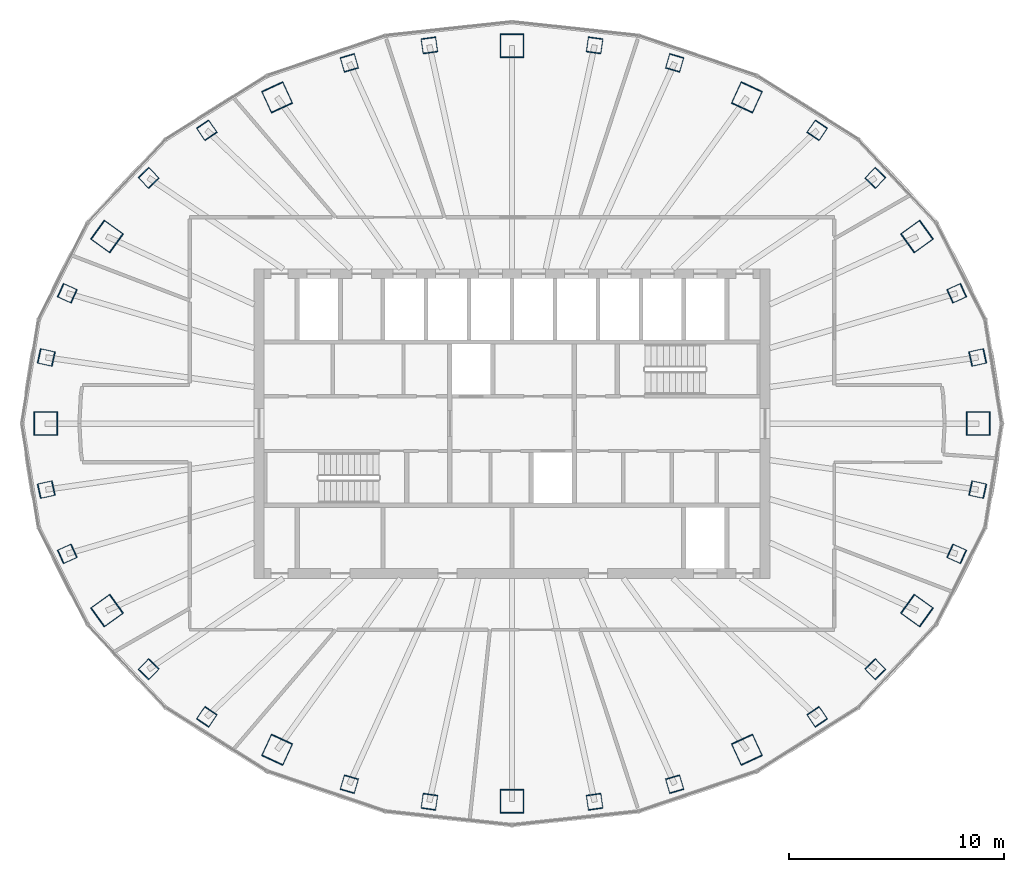
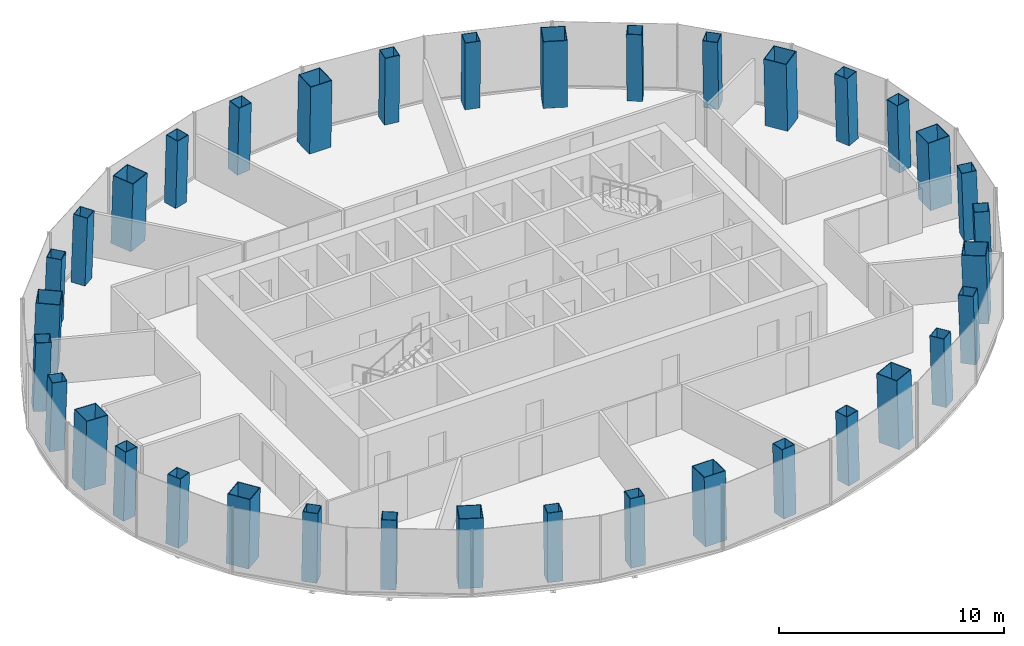
# One storey, part 1 of 11: 36 columns.
"""IFC4 building model written with IfcOpenShell, lengths in metres."""

from ifc_helpers import new_model, si_unit, direction, frame, origin, origin_2d, place, context, subcontext, project, spatial, hollow_rectangle, extrude, material, material_profile, profile_set, type_object, element, save


model = new_model("IFC4")

# Units and contexts
model_context = context("Model", 3, precision=1e-05, world=origin(), true_north=direction((0.0, 1.0)))
body_context = subcontext(model_context, "Body", "Model", "MODEL_VIEW")
ifc_project = project(units=[si_unit("LENGTHUNIT", "METRE"), si_unit("AREAUNIT", "SQUARE_METRE"), si_unit("VOLUMEUNIT", "CUBIC_METRE"), si_unit("PLANEANGLEUNIT", "RADIAN"), si_unit("MASSUNIT", "GRAM", prefix="KILO")], contexts=[model_context])

# Site, building, storey
site_placement = place(None, origin())
site = spatial("IfcSite", under=ifc_project, at=site_placement, CompositionType="ELEMENT")
building_placement = place(site_placement, origin())
building = spatial("IfcBuilding", under=site, at=building_placement, Name="Siaravel Broadcast Tower", CompositionType="ELEMENT")
storey_placement = place(building_placement, frame((0.0, 0.0, 194.10009765625)))
storey = spatial("IfcBuildingStorey", under=building, at=storey_placement, Name="L47", CompositionType="ELEMENT", Elevation=194.10009765625)

# Columns
ifc_material = material(Name="Concrete C60/75", Category="concrete")
ifc_material_profile_1 = material_profile(ifc_material, hollow_rectangle(XDim=1.10009765625, YDim=1.10009765625, WallThickness=0.031982421875, at=origin_2d()))
ifc_profile_set_1 = profile_set([ifc_material_profile_1], Name="Concrete C60/75")
column_type_1 = type_object("IfcColumnType", Name="COL-CFT BOX 1100x1100x32", PredefinedType="COLUMN", material=ifc_profile_set_1)
column_1_placement = place(storey_placement, frame((21.724365234375, 0.0, 0.0), z_axis=(-0.034621265, 0.0, 0.999400504), x_axis=(0.0, -1.0, 0.0)))
element("IfcColumn", 1, at=column_1_placement, inside=storey, type_object=column_type_1, Name="Megacolumn MC01", PredefinedType="COLUMN", context=body_context, shape_type="SweptSolid", body=[
    extrude(hollow_rectangle(XDim=1.10009765625, YDim=1.10009765625, WallThickness=0.031982421875, at=origin_2d()), origin(), (0.0, 0.0, 1.0), 3.7021484375),
])
column_2_placement = place(storey_placement, frame((18.8671875, 8.714111328125, 0.0), z_axis=(-0.029940667, -0.01417895, 0.999451106), x_axis=(0.583859188, -0.811832967, 0.005973473)))
element("IfcColumn", 2, at=column_2_placement, inside=storey, type_object=column_type_1, Name="Megacolumn MC02", PredefinedType="COLUMN", context=body_context, shape_type="SweptSolid", body=[
    extrude(hollow_rectangle(XDim=1.10009765625, YDim=1.10009765625, WallThickness=0.031982421875, at=origin_2d()), origin(), (0.0, 0.0, 1.0), 3.701904296875),
])
column_3_placement = place(storey_placement, frame((10.94189453125, 15.196533203125, 0.0), z_axis=(-0.017280237, -0.024535299, 0.999549605), x_axis=(0.908373055, -0.418125333, 0.005440522)))
element("IfcColumn", 3, at=column_3_placement, inside=storey, type_object=column_type_1, Name="Megacolumn MC03", PredefinedType="COLUMN", context=body_context, shape_type="SweptSolid", body=[
    extrude(hollow_rectangle(XDim=1.10009765625, YDim=1.10009765625, WallThickness=0.031982421875, at=origin_2d()), origin(), (0.0, 0.0, 1.0), 3.70166015625),
])
column_4_placement = place(storey_placement, frame((0.0, 17.595703125, 0.0), z_axis=(0.0, -0.02836206, 0.999597716), x_axis=(1.0, 0.0, 0.0)))
element("IfcColumn", 4, at=column_4_placement, inside=storey, type_object=column_type_1, Name="Megacolumn MC04", PredefinedType="COLUMN", context=body_context, shape_type="SweptSolid", body=[
    extrude(hollow_rectangle(XDim=1.10009765625, YDim=1.10009765625, WallThickness=0.031982421875, at=origin_2d()), origin(), (0.0, 0.0, 1.0), 3.701416015625),
])
column_5_placement = place(storey_placement, frame((-10.94189453125, 15.196533203125, 0.0), z_axis=(0.017280237, -0.024535299, 0.999549605), x_axis=(0.908373055, 0.418125333, -0.005440522)))
element("IfcColumn", 5, at=column_5_placement, inside=storey, type_object=column_type_1, Name="Megacolumn MC05", PredefinedType="COLUMN", context=body_context, shape_type="SweptSolid", body=[
    extrude(hollow_rectangle(XDim=1.10009765625, YDim=1.10009765625, WallThickness=0.031982421875, at=origin_2d()), origin(), (0.0, 0.0, 1.0), 3.70166015625),
])
column_6_placement = place(storey_placement, frame((-18.8671875, 8.714111328125, 0.0), z_axis=(0.029940667, -0.01417895, 0.999451106), x_axis=(0.583859188, 0.811832967, -0.005973473)))
element("IfcColumn", 6, at=column_6_placement, inside=storey, type_object=column_type_1, Name="Megacolumn MC06", PredefinedType="COLUMN", context=body_context, shape_type="SweptSolid", body=[
    extrude(hollow_rectangle(XDim=1.10009765625, YDim=1.10009765625, WallThickness=0.031982421875, at=origin_2d()), origin(), (0.0, 0.0, 1.0), 3.701904296875),
])
column_7_placement = place(storey_placement, frame((-21.724365234375, 0.0, 0.0), z_axis=(0.034621265, 0.0, 0.999400504), x_axis=(0.0, 1.0, 0.0)))
element("IfcColumn", 7, at=column_7_placement, inside=storey, type_object=column_type_1, Name="Megacolumn MC07", PredefinedType="COLUMN", context=body_context, shape_type="SweptSolid", body=[
    extrude(hollow_rectangle(XDim=1.10009765625, YDim=1.10009765625, WallThickness=0.031982421875, at=origin_2d()), origin(), (0.0, 0.0, 1.0), 3.7021484375),
])
column_8_placement = place(storey_placement, frame((-18.8671875, -8.714111328125, 0.0), z_axis=(0.029940667, 0.01417895, 0.999451106), x_axis=(-0.583859188, 0.811832967, 0.005973473)))
element("IfcColumn", 8, at=column_8_placement, inside=storey, type_object=column_type_1, Name="Megacolumn MC08", PredefinedType="COLUMN", context=body_context, shape_type="SweptSolid", body=[
    extrude(hollow_rectangle(XDim=1.10009765625, YDim=1.10009765625, WallThickness=0.031982421875, at=origin_2d()), origin(), (0.0, 0.0, 1.0), 3.701904296875),
])
column_9_placement = place(storey_placement, frame((-10.94189453125, -15.196533203125, 0.0), z_axis=(0.017280237, 0.024535299, 0.999549605), x_axis=(-0.908373055, 0.418125333, 0.005440522)))
element("IfcColumn", 9, at=column_9_placement, inside=storey, type_object=column_type_1, Name="Megacolumn MC09", PredefinedType="COLUMN", context=body_context, shape_type="SweptSolid", body=[
    extrude(hollow_rectangle(XDim=1.10009765625, YDim=1.10009765625, WallThickness=0.031982421875, at=origin_2d()), origin(), (0.0, 0.0, 1.0), 3.70166015625),
])
column_10_placement = place(storey_placement, frame((0.0, -17.595703125, 0.0), z_axis=(0.0, 0.02836206, 0.999597716), x_axis=(-1.0, 0.0, 0.0)))
element("IfcColumn", 10, at=column_10_placement, inside=storey, type_object=column_type_1, Name="Megacolumn MC10", PredefinedType="COLUMN", context=body_context, shape_type="SweptSolid", body=[
    extrude(hollow_rectangle(XDim=1.10009765625, YDim=1.10009765625, WallThickness=0.031982421875, at=origin_2d()), origin(), (0.0, 0.0, 1.0), 3.701416015625),
])
column_11_placement = place(storey_placement, frame((10.94189453125, -15.196533203125, 0.0), z_axis=(-0.017280237, 0.024535299, 0.999549605), x_axis=(-0.908373055, -0.418125333, -0.005440522)))
element("IfcColumn", 11, at=column_11_placement, inside=storey, type_object=column_type_1, Name="Megacolumn MC11", PredefinedType="COLUMN", context=body_context, shape_type="SweptSolid", body=[
    extrude(hollow_rectangle(XDim=1.10009765625, YDim=1.10009765625, WallThickness=0.031982421875, at=origin_2d()), origin(), (0.0, 0.0, 1.0), 3.70166015625),
])
column_12_placement = place(storey_placement, frame((18.8671875, -8.714111328125, 0.0), z_axis=(-0.029940667, 0.01417895, 0.999451106), x_axis=(-0.583859188, -0.811832967, -0.005973473)))
element("IfcColumn", 12, at=column_12_placement, inside=storey, type_object=column_type_1, Name="Megacolumn MC12", PredefinedType="COLUMN", context=body_context, shape_type="SweptSolid", body=[
    extrude(hollow_rectangle(XDim=1.10009765625, YDim=1.10009765625, WallThickness=0.031982421875, at=origin_2d()), origin(), (0.0, 0.0, 1.0), 3.701904296875),
])
ifc_material_profile_2 = material_profile(ifc_material, hollow_rectangle(XDim=0.699951171875, YDim=0.699951171875, WallThickness=0.02490234375, at=origin_2d()))
ifc_profile_set_2 = profile_set([ifc_material_profile_2], Name="Concrete C60/75")
column_type_2 = type_object("IfcColumnType", Name="COL-CFT BOX 700x700x25", PredefinedType="COLUMN", material=ifc_profile_set_2)
for number, where, z_axis, x_axis, name in (
    (13, (21.695556640625, 3.078125, 0.0), (-0.034093903, -0.004945924, 0.999406396), (0.213452233, -0.976950437, 0.00244695), "Perimeter column C01"),
    (14, (20.716796875, 6.069580078125, 0.0), (-0.032511791, -0.009694185, 0.999424337), (0.410362909, -0.911911178, 0.00450399), "Perimeter column C02"),
):
    element("IfcColumn", number, at=place(storey_placement, frame(where, z_axis=z_axis, x_axis=x_axis)), inside=storey, type_object=column_type_2, Name=name, PredefinedType="COLUMN", context=body_context, shape_type="SweptSolid", body=[
        extrude(hollow_rectangle(XDim=0.699951171875, YDim=0.699951171875, WallThickness=0.02490234375, at=origin_2d()), origin(), (0.0, 0.0, 1.0), 3.7021484375),
    ])
column_13_placement = place(storey_placement, frame((16.925537109375, 11.44482421875, 0.0), z_axis=(-0.026512179, -0.018202391, 0.999482755), x_axis=(0.720419372, -0.693508429, 0.006479727)))
element("IfcColumn", 15, at=column_13_placement, inside=storey, type_object=column_type_2, Name="Perimeter column C03", PredefinedType="COLUMN", context=body_context, shape_type="SweptSolid", body=[
    extrude(hollow_rectangle(XDim=0.699951171875, YDim=0.699951171875, WallThickness=0.02490234375, at=origin_2d()), origin(), (0.0, 0.0, 1.0), 3.701904296875),
])
column_14_placement = place(storey_placement, frame((14.218017578125, 13.662353515625, 0.0), z_axis=(-0.022226156, -0.021698532, 0.999517469), x_axis=(0.828497152, -0.559958207, 0.00626706)))
element("IfcColumn", 16, at=column_14_placement, inside=storey, type_object=column_type_2, Name="Perimeter column C04", PredefinedType="COLUMN", context=body_context, shape_type="SweptSolid", body=[
    extrude(hollow_rectangle(XDim=0.699951171875, YDim=0.699951171875, WallThickness=0.02490234375, at=origin_2d()), origin(), (0.0, 0.0, 1.0), 3.70166015625),
])
for number, where, z_axis, x_axis, name in (
    (17, (7.577880859375, 16.801513671875, 0.0), (-0.011872213, -0.026646524, 0.999574416), (0.959585482, -0.28139034, 0.003895987), "Perimeter column C05"),
    (18, (3.84912109375, 17.619873046875, 0.0), (-0.006002173, -0.027900212, 0.999592693), (0.990171856, -0.139841068, 0.002042419), "Perimeter column C06"),
    (19, (-3.84912109375, 17.619873046875, 0.0), (0.006002173, -0.027900212, 0.999592693), (0.990171856, 0.139841068, -0.002042419), "Perimeter column C07"),
    (20, (-7.577880859375, 16.801513671875, 0.0), (0.011872213, -0.026646524, 0.999574416), (0.959585482, 0.28139034, -0.003895987), "Perimeter column C08"),
):
    element("IfcColumn", number, at=place(storey_placement, frame(where, z_axis=z_axis, x_axis=x_axis)), inside=storey, type_object=column_type_2, Name=name, PredefinedType="COLUMN", context=body_context, shape_type="SweptSolid", body=[
        extrude(hollow_rectangle(XDim=0.699951171875, YDim=0.699951171875, WallThickness=0.02490234375, at=origin_2d()), origin(), (0.0, 0.0, 1.0), 3.701416015625),
    ])
column_15_placement = place(storey_placement, frame((-14.218017578125, 13.662353515625, 0.0), z_axis=(0.022226156, -0.021698532, 0.999517469), x_axis=(0.828497152, 0.559958207, -0.00626706)))
element("IfcColumn", 21, at=column_15_placement, inside=storey, type_object=column_type_2, Name="Perimeter column C09", PredefinedType="COLUMN", context=body_context, shape_type="SweptSolid", body=[
    extrude(hollow_rectangle(XDim=0.699951171875, YDim=0.699951171875, WallThickness=0.02490234375, at=origin_2d()), origin(), (0.0, 0.0, 1.0), 3.70166015625),
])
column_16_placement = place(storey_placement, frame((-16.925537109375, 11.44482421875, 0.0), z_axis=(0.026512179, -0.018202391, 0.999482755), x_axis=(0.720419372, 0.693508429, -0.006479727)))
element("IfcColumn", 22, at=column_16_placement, inside=storey, type_object=column_type_2, Name="Perimeter column C10", PredefinedType="COLUMN", context=body_context, shape_type="SweptSolid", body=[
    extrude(hollow_rectangle(XDim=0.699951171875, YDim=0.699951171875, WallThickness=0.02490234375, at=origin_2d()), origin(), (0.0, 0.0, 1.0), 3.701904296875),
])
for number, where, z_axis, x_axis, name in (
    (23, (-20.716796875, 6.069580078125, 0.0), (0.032511791, -0.009694185, 0.999424337), (0.410362909, 0.911911178, -0.00450399), "Perimeter column C11"),
    (24, (-21.695556640625, 3.078125, 0.0), (0.034093903, -0.004945924, 0.999406396), (0.213452233, 0.976950437, -0.00244695), "Perimeter column C12"),
    (25, (-21.695556640625, -3.078125, 0.0), (0.034093903, 0.004945924, 0.999406396), (-0.213452233, 0.976950437, 0.00244695), "Perimeter column C13"),
    (26, (-20.716796875, -6.069580078125, 0.0), (0.032511791, 0.009694185, 0.999424337), (-0.410362909, 0.911911178, 0.00450399), "Perimeter column C14"),
):
    element("IfcColumn", number, at=place(storey_placement, frame(where, z_axis=z_axis, x_axis=x_axis)), inside=storey, type_object=column_type_2, Name=name, PredefinedType="COLUMN", context=body_context, shape_type="SweptSolid", body=[
        extrude(hollow_rectangle(XDim=0.699951171875, YDim=0.699951171875, WallThickness=0.02490234375, at=origin_2d()), origin(), (0.0, 0.0, 1.0), 3.7021484375),
    ])
column_17_placement = place(storey_placement, frame((-16.925537109375, -11.44482421875, 0.0), z_axis=(0.026512179, 0.018202391, 0.999482755), x_axis=(-0.720419372, 0.693508429, 0.006479727)))
element("IfcColumn", 27, at=column_17_placement, inside=storey, type_object=column_type_2, Name="Perimeter column C15", PredefinedType="COLUMN", context=body_context, shape_type="SweptSolid", body=[
    extrude(hollow_rectangle(XDim=0.699951171875, YDim=0.699951171875, WallThickness=0.02490234375, at=origin_2d()), origin(), (0.0, 0.0, 1.0), 3.701904296875),
])
column_18_placement = place(storey_placement, frame((-14.218017578125, -13.662353515625, 0.0), z_axis=(0.022226156, 0.021698532, 0.999517469), x_axis=(-0.828497152, 0.559958207, 0.00626706)))
element("IfcColumn", 28, at=column_18_placement, inside=storey, type_object=column_type_2, Name="Perimeter column C16", PredefinedType="COLUMN", context=body_context, shape_type="SweptSolid", body=[
    extrude(hollow_rectangle(XDim=0.699951171875, YDim=0.699951171875, WallThickness=0.02490234375, at=origin_2d()), origin(), (0.0, 0.0, 1.0), 3.70166015625),
])
for number, where, z_axis, x_axis, name in (
    (29, (-7.577880859375, -16.801513671875, 0.0), (0.011872213, 0.026646524, 0.999574416), (-0.959585482, 0.28139034, 0.003895987), "Perimeter column C17"),
    (30, (-3.84912109375, -17.619873046875, 0.0), (0.006002173, 0.027900212, 0.999592693), (-0.990171856, 0.139841068, 0.002042419), "Perimeter column C18"),
    (31, (3.84912109375, -17.619873046875, 0.0), (-0.006002173, 0.027900212, 0.999592693), (-0.990171856, -0.139841068, -0.002042419), "Perimeter column C19"),
    (32, (7.577880859375, -16.801513671875, 0.0), (-0.011872213, 0.026646524, 0.999574416), (-0.959585482, -0.28139034, -0.003895987), "Perimeter column C20"),
):
    element("IfcColumn", number, at=place(storey_placement, frame(where, z_axis=z_axis, x_axis=x_axis)), inside=storey, type_object=column_type_2, Name=name, PredefinedType="COLUMN", context=body_context, shape_type="SweptSolid", body=[
        extrude(hollow_rectangle(XDim=0.699951171875, YDim=0.699951171875, WallThickness=0.02490234375, at=origin_2d()), origin(), (0.0, 0.0, 1.0), 3.701416015625),
    ])
column_19_placement = place(storey_placement, frame((14.218017578125, -13.662353515625, 0.0), z_axis=(-0.022226156, 0.021698532, 0.999517469), x_axis=(-0.828497152, -0.559958207, -0.00626706)))
element("IfcColumn", 33, at=column_19_placement, inside=storey, type_object=column_type_2, Name="Perimeter column C21", PredefinedType="COLUMN", context=body_context, shape_type="SweptSolid", body=[
    extrude(hollow_rectangle(XDim=0.699951171875, YDim=0.699951171875, WallThickness=0.02490234375, at=origin_2d()), origin(), (0.0, 0.0, 1.0), 3.70166015625),
])
column_20_placement = place(storey_placement, frame((16.925537109375, -11.44482421875, 0.0), z_axis=(-0.026512179, 0.018202391, 0.999482755), x_axis=(-0.720419372, -0.693508429, -0.006479727)))
element("IfcColumn", 34, at=column_20_placement, inside=storey, type_object=column_type_2, Name="Perimeter column C22", PredefinedType="COLUMN", context=body_context, shape_type="SweptSolid", body=[
    extrude(hollow_rectangle(XDim=0.699951171875, YDim=0.699951171875, WallThickness=0.02490234375, at=origin_2d()), origin(), (0.0, 0.0, 1.0), 3.701904296875),
])
for number, where, z_axis, x_axis, name in (
    (35, (20.716796875, -6.069580078125, 0.0), (-0.032511791, 0.009694185, 0.999424337), (-0.410362909, -0.911911178, -0.00450399), "Perimeter column C23"),
    (36, (21.695556640625, -3.078125, 0.0), (-0.034093903, 0.004945924, 0.999406396), (-0.213452233, -0.976950437, -0.00244695), "Perimeter column C24"),
):
    element("IfcColumn", number, at=place(storey_placement, frame(where, z_axis=z_axis, x_axis=x_axis)), inside=storey, type_object=column_type_2, Name=name, PredefinedType="COLUMN", context=body_context, shape_type="SweptSolid", body=[
        extrude(hollow_rectangle(XDim=0.699951171875, YDim=0.699951171875, WallThickness=0.02490234375, at=origin_2d()), origin(), (0.0, 0.0, 1.0), 3.7021484375),
    ])

save(model, "model.ifc")
